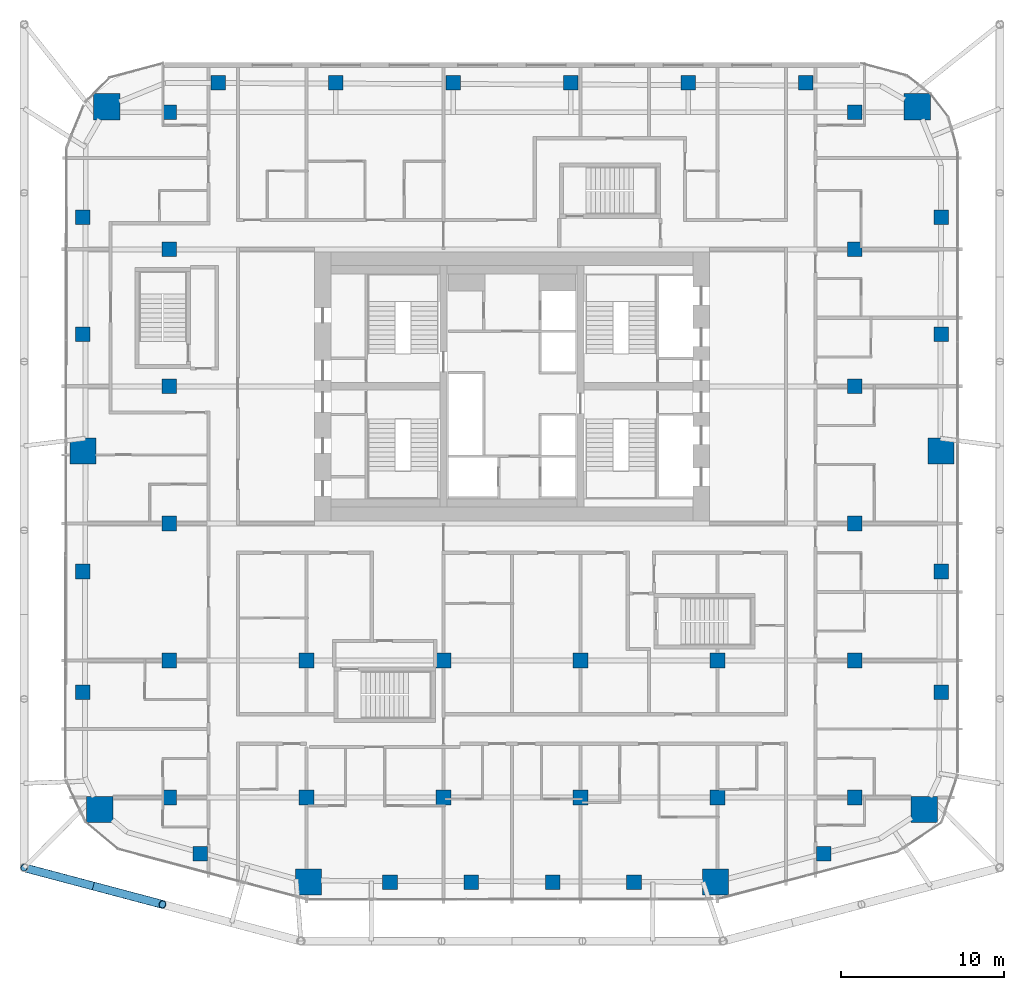
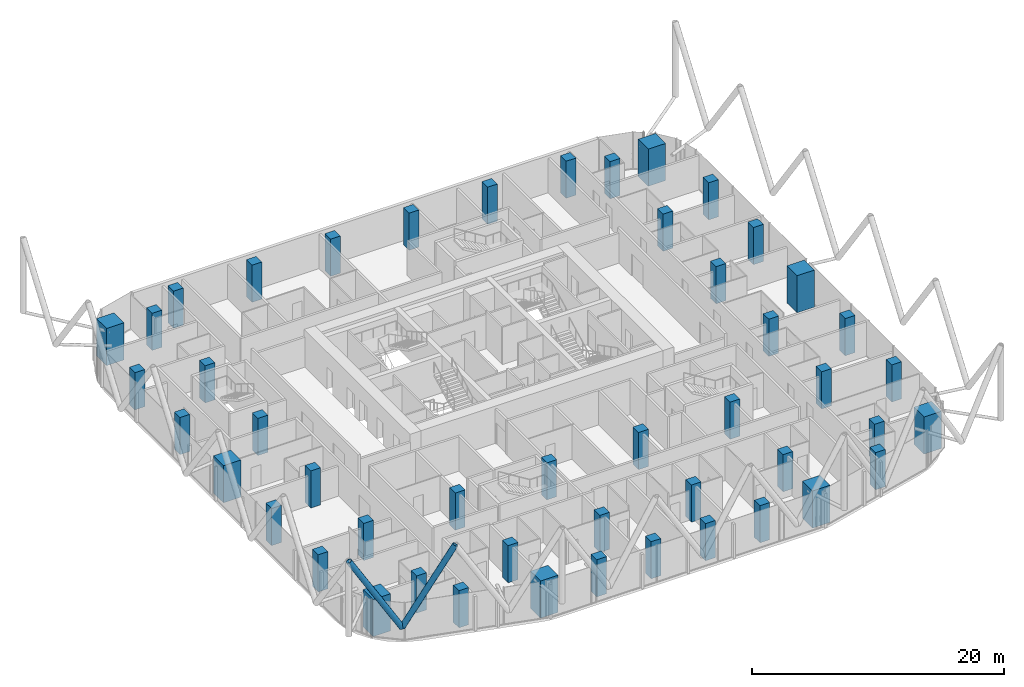
# One storey, part 1 of 36: 48 columns, 2 members.
"""IFC4 building model written with IfcOpenShell, lengths in metres."""

from ifc_helpers import new_model, si_unit, direction, frame, origin, origin_2d, place, context, subcontext, project, spatial, rectangle, hollow_circle, extrude, material, material_profile, profile_set, type_object, element, save


model = new_model("IFC4")

# Units and contexts
model_context = context("Model", 3, precision=1e-05, world=origin(), true_north=direction((0.0, 1.0)))
body_context = subcontext(model_context, "Body", "Model", "MODEL_VIEW")
ifc_project = project(units=[si_unit("LENGTHUNIT", "METRE"), si_unit("AREAUNIT", "SQUARE_METRE"), si_unit("VOLUMEUNIT", "CUBIC_METRE"), si_unit("PLANEANGLEUNIT", "RADIAN"), si_unit("MASSUNIT", "GRAM", prefix="KILO")], contexts=[model_context])

# Site, building, storey
site_placement = place(None, origin())
site = spatial("IfcSite", under=ifc_project, at=site_placement, CompositionType="ELEMENT")
building_placement = place(site_placement, origin())
building = spatial("IfcBuilding", under=site, at=building_placement, Name="Marenta Gate Hotel Tower", CompositionType="ELEMENT")
storey_placement = place(building_placement, frame((0.0, 0.0, 130.10009765625)))
storey = spatial("IfcBuildingStorey", under=building, at=storey_placement, Name="L29", CompositionType="ELEMENT", Elevation=130.10009765625)

# Columns
ifc_material_1 = material(Name="Concrete C70", Category="concrete")
ifc_material_profile_1 = material_profile(ifc_material_1, rectangle(XDim=0.89990234375, YDim=0.89990234375, at=origin_2d()), Name="900 x 900")
ifc_profile_set_1 = profile_set([ifc_material_profile_1], Name="Concrete C70")
column_type_1 = type_object("IfcColumnType", Name="Edge column 900 x 900 C70", PredefinedType="COLUMN", material=ifc_profile_set_1)
for number, where, z_axis, x_axis, name in (
    (1, (-26.300048828125, -10.351806640625, 0.0), (0.0, 0.0, 1.0), (1.0, 0.0, 0.0), "L29-EC-SW-W-1"),
    (2, (-26.300048828125, -2.950927734375, 0.0), (0.0, 0.0, 1.0), (1.0, 0.0, 0.0), "L29-EC-SW-W-2"),
    (3, (-26.300048828125, 11.603271484375, 0.0), (0.0, 0.0, 1.0), (1.0, 0.0, 0.0), "L29-EC-W-NW-1"),
    (4, (-26.300048828125, 18.75634765625, 0.0), (0.0, 0.0, 1.0), (1.0, 0.0, 0.0), "L29-EC-W-NW-2"),
    (5, (-18.0068359375, 27.0, 0.0), (0.0, 0.0, 1.0), (1.0, 0.0, 0.0), "L29-EC-NW-NE-1"),
    (6, (-10.80419921875, 27.0, 0.0), (0.0, 0.0, 1.0), (1.0, 0.0, 0.0), "L29-EC-NW-NE-2"),
    (7, (-3.601318359375, 27.0, 0.0), (0.0, 0.0, 1.0), (1.0, 0.0, 0.0), "L29-EC-NW-NE-3"),
    (8, (3.601318359375, 27.0, 0.0), (0.0, 0.0, 1.0), (1.0, 0.0, 0.0), "L29-EC-NW-NE-4"),
    (9, (10.80419921875, 27.0, 0.0), (0.0, 0.0, 1.0), (1.0, 0.0, 0.0), "L29-EC-NW-NE-5"),
    (10, (18.0068359375, 27.0, 0.0), (0.0, 0.0, 1.0), (1.0, 0.0, 0.0), "L29-EC-NW-NE-6"),
    (11, (26.300048828125, 18.75634765625, 0.0), (0.0, 0.0, 1.0), (1.0, 0.0, 0.0), "L29-EC-NE-E-1"),
    (12, (26.300048828125, 11.603271484375, 0.0), (0.0, 0.0, 1.0), (1.0, 0.0, 0.0), "L29-EC-NE-E-2"),
    (13, (26.300048828125, -2.950927734375, 0.0), (0.0, 0.0, 1.0), (1.0, 0.0, 0.0), "L29-EC-E-SE-1"),
    (14, (26.300048828125, -10.351806640625, 0.0), (0.0, 0.0, 1.0), (1.0, 0.0, 0.0), "L29-EC-E-SE-2"),
    (15, (19.106689453125, -20.239013671875, 0.0), (0.0, 0.0, 1.0), (1.0, 0.0, 0.0), "L29-EC-SE-SKE-1"),
    (16, (7.47998046875, -22.0, 0.0), (0.0, 0.0, 1.0), (1.0, 0.0, 0.0), "L29-EC-SKE-SKW-1"),
    (17, (2.493408203125, -22.0, 0.0), (0.0, 0.0, 1.0), (1.0, 0.0, 0.0), "L29-EC-SKE-SKW-2"),
    (18, (-2.493408203125, -22.0, 0.0), (0.0, 0.0, 1.0), (1.0, 0.0, 0.0), "L29-EC-SKE-SKW-3"),
    (19, (-7.47998046875, -22.0, 0.0), (0.0, 0.0, 1.0), (1.0, 0.0, 0.0), "L29-EC-SKE-SKW-4"),
    (20, (-19.106689453125, -20.239013671875, 0.0), (0.0, 0.0, 1.0), (1.0, 0.0, 0.0), "L29-EC-SKW-SW-1"),
):
    element("IfcColumn", number, at=place(storey_placement, frame(where, z_axis=z_axis, x_axis=x_axis)), inside=storey, type_object=column_type_1, Name=name, PredefinedType="COLUMN", context=body_context, shape_type="SweptSolid", body=[
        extrude(rectangle(XDim=0.89990234375, YDim=0.89990234375, at=origin_2d()), origin(), (0.0, 0.0, 1.0), 3.599853515625),
    ])
ifc_material_2 = material(Name="Concrete C70", Category="concrete")
ifc_material_profile_2 = material_profile(ifc_material_2, rectangle(XDim=0.89990234375, YDim=0.89990234375, at=origin_2d()), Name="900 x 900")
ifc_profile_set_2 = profile_set([ifc_material_profile_2], Name="Concrete C70")
column_type_2 = type_object("IfcColumnType", Name="Interior column 900 x 900 C70", PredefinedType="COLUMN", material=ifc_profile_set_2)
for number, where, z_axis, x_axis, name in (
    (21, (-21.0, -16.800048828125, 0.0), (0.0, 0.0, 1.0), (1.0, 0.0, 0.0), "L29-IC-4D"),
    (22, (-21.0, -8.39990234375, 0.0), (0.0, 0.0, 1.0), (1.0, 0.0, 0.0), "L29-IC-4E"),
    (23, (-21.0, 0.0, 0.0), (0.0, 0.0, 1.0), (1.0, 0.0, 0.0), "L29-IC-4F"),
    (24, (-21.0, 8.39990234375, 0.0), (0.0, 0.0, 1.0), (1.0, 0.0, 0.0), "L29-IC-4G"),
    (25, (-21.0, 16.800048828125, 0.0), (0.0, 0.0, 1.0), (1.0, 0.0, 0.0), "L29-IC-4H"),
    (26, (-21.0, 25.199951171875, 0.0), (0.0, 0.0, 1.0), (1.0, 0.0, 0.0), "L29-IC-4I"),
    (27, (-12.60009765625, -16.800048828125, 0.0), (0.0, 0.0, 1.0), (1.0, 0.0, 0.0), "L29-IC-5D"),
    (28, (-12.60009765625, -8.39990234375, 0.0), (0.0, 0.0, 1.0), (1.0, 0.0, 0.0), "L29-IC-5E"),
    (29, (-4.199951171875, -16.800048828125, 0.0), (0.0, 0.0, 1.0), (1.0, 0.0, 0.0), "L29-IC-6D"),
    (30, (-4.199951171875, -8.39990234375, 0.0), (0.0, 0.0, 1.0), (1.0, 0.0, 0.0), "L29-IC-6E"),
    (31, (4.199951171875, -16.800048828125, 0.0), (0.0, 0.0, 1.0), (1.0, 0.0, 0.0), "L29-IC-7D"),
    (32, (4.199951171875, -8.39990234375, 0.0), (0.0, 0.0, 1.0), (1.0, 0.0, 0.0), "L29-IC-7E"),
    (33, (12.60009765625, -16.800048828125, 0.0), (0.0, 0.0, 1.0), (1.0, 0.0, 0.0), "L29-IC-8D"),
    (34, (12.60009765625, -8.39990234375, 0.0), (0.0, 0.0, 1.0), (1.0, 0.0, 0.0), "L29-IC-8E"),
    (35, (21.0, -16.800048828125, 0.0), (0.0, 0.0, 1.0), (1.0, 0.0, 0.0), "L29-IC-9D"),
    (36, (21.0, -8.39990234375, 0.0), (0.0, 0.0, 1.0), (1.0, 0.0, 0.0), "L29-IC-9E"),
    (37, (21.0, 0.0, 0.0), (0.0, 0.0, 1.0), (1.0, 0.0, 0.0), "L29-IC-9F"),
    (38, (21.0, 8.39990234375, 0.0), (0.0, 0.0, 1.0), (1.0, 0.0, 0.0), "L29-IC-9G"),
    (39, (21.0, 16.800048828125, 0.0), (0.0, 0.0, 1.0), (1.0, 0.0, 0.0), "L29-IC-9H"),
    (40, (21.0, 25.199951171875, 0.0), (0.0, 0.0, 1.0), (1.0, 0.0, 0.0), "L29-IC-9I"),
):
    element("IfcColumn", number, at=place(storey_placement, frame(where, z_axis=z_axis, x_axis=x_axis)), inside=storey, type_object=column_type_2, Name=name, PredefinedType="COLUMN", context=body_context, shape_type="SweptSolid", body=[
        extrude(rectangle(XDim=0.89990234375, YDim=0.89990234375, at=origin_2d()), origin(), (0.0, 0.0, 1.0), 3.599853515625),
    ])
ifc_material_3 = material(Name="Concrete C70", Category="concrete")
ifc_material_profile_3 = material_profile(ifc_material_3, rectangle(XDim=1.60009765625, YDim=1.60009765625, at=origin_2d()), Name="1600 x 1600")
ifc_profile_set_3 = profile_set([ifc_material_profile_3], Name="Concrete C70")
column_type_3 = type_object("IfcColumnType", Name="Mega column 1600 x 1600 C70", PredefinedType="COLUMN", material=ifc_profile_set_3)
for number, where, z_axis, x_axis, name in (
    (41, (-25.262939453125, -17.532958984375, 0.0), (0.0, 0.0, 1.0), (1.0, 0.0, 0.0), "L29-MC-SW"),
    (42, (-12.46630859375, -21.974853515625, 0.0), (0.0, 0.0, 1.0), (1.0, 0.0, 0.0), "L29-MC-SKW"),
    (43, (12.46630859375, -21.974853515625, 0.0), (0.0, 0.0, 1.0), (1.0, 0.0, 0.0), "L29-MC-SKE"),
    (44, (25.262939453125, -17.532958984375, 0.0), (0.0, 0.0, 1.0), (1.0, 0.0, 0.0), "L29-MC-SE"),
    (45, (26.300048828125, 4.449951171875, 0.0), (0.0, 0.0, 1.0), (1.0, 0.0, 0.0), "L29-MC-E"),
    (46, (24.83544921875, 25.535400390625, 0.0), (0.0, 0.0, 1.0), (1.0, 0.0, 0.0), "L29-MC-NE"),
    (47, (-24.83544921875, 25.535400390625, 0.0), (0.0, 0.0, 1.0), (1.0, 0.0, 0.0), "L29-MC-NW"),
    (48, (-26.300048828125, 4.449951171875, 0.0), (0.0, 0.0, 1.0), (1.0, 0.0, 0.0), "L29-MC-W"),
):
    element("IfcColumn", number, at=place(storey_placement, frame(where, z_axis=z_axis, x_axis=x_axis)), inside=storey, type_object=column_type_3, Name=name, PredefinedType="COLUMN", context=body_context, shape_type="SweptSolid", body=[
        extrude(rectangle(XDim=1.60009765625, YDim=1.60009765625, at=origin_2d()), origin(), (0.0, 0.0, 1.0), 3.599853515625),
    ])

# Members
ifc_material_4 = material(Name="Steel S355J2W", Category="steel")
ifc_material_profile_4 = material_profile(ifc_material_4, hollow_circle(Radius=0.25390625, WallThickness=0.0400390625, at=origin_2d()), Name="CHS 508x40")
ifc_profile_set_4 = profile_set([ifc_material_profile_4], Name="Steel S355J2W")
member_type = type_object("IfcMemberType", Name="Diagrid diagonal Z2 CHS 508x40", PredefinedType="BRACE", material=ifc_profile_set_4)
member_1_placement = place(storey_placement, frame((-25.659912109375, -22.22509765625, 3.139892578125), z_axis=(0.502945650976, -0.133431605717, 0.853956485285), x_axis=(0.256429393985, 0.966562965306, 0.0)))
element("IfcMember", 49, at=member_1_placement, inside=storey, type_object=member_type, Name="L29-DG-23", PredefinedType="BRACE", context=body_context, shape_type="SweptSolid", body=[
    extrude(hollow_circle(Radius=0.25390625, WallThickness=0.0400390625, at=origin_2d()), origin(), (0.0, 0.0, 1.0), 8.431396484375),
])
member_2_placement = place(storey_placement, frame((-25.659912109375, -22.22509765625, 3.139892578125), z_axis=(-0.502902385412, 0.133435492139, 0.853981358218), x_axis=(-0.256456982503, -0.966555645644, 0.0)))
element("IfcMember", 50, at=member_2_placement, inside=storey, type_object=member_type, Name="L29-DG-24", PredefinedType="BRACE", context=body_context, shape_type="SweptSolid", body=[
    extrude(hollow_circle(Radius=0.25390625, WallThickness=0.0400390625, at=origin_2d()), origin(), (0.0, 0.0, 1.0), 8.43115234375),
])

save(model, "model.ifc")
